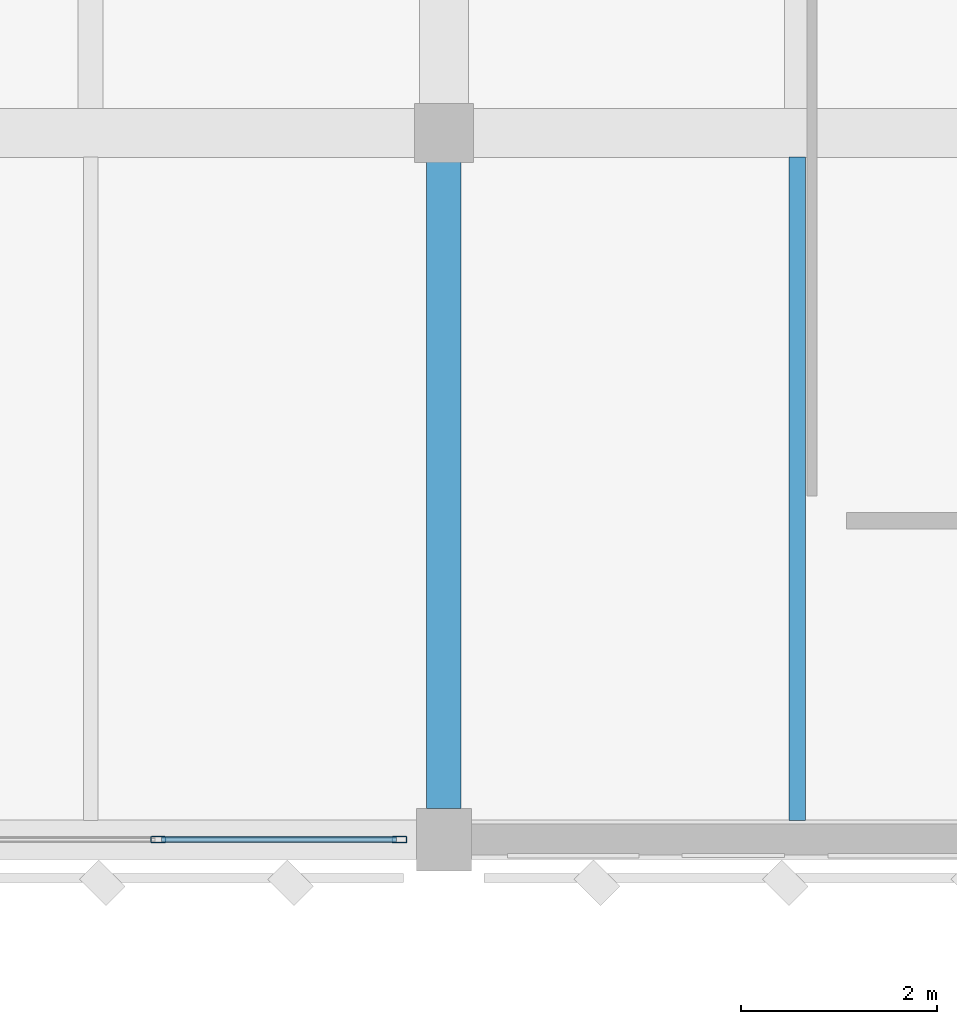
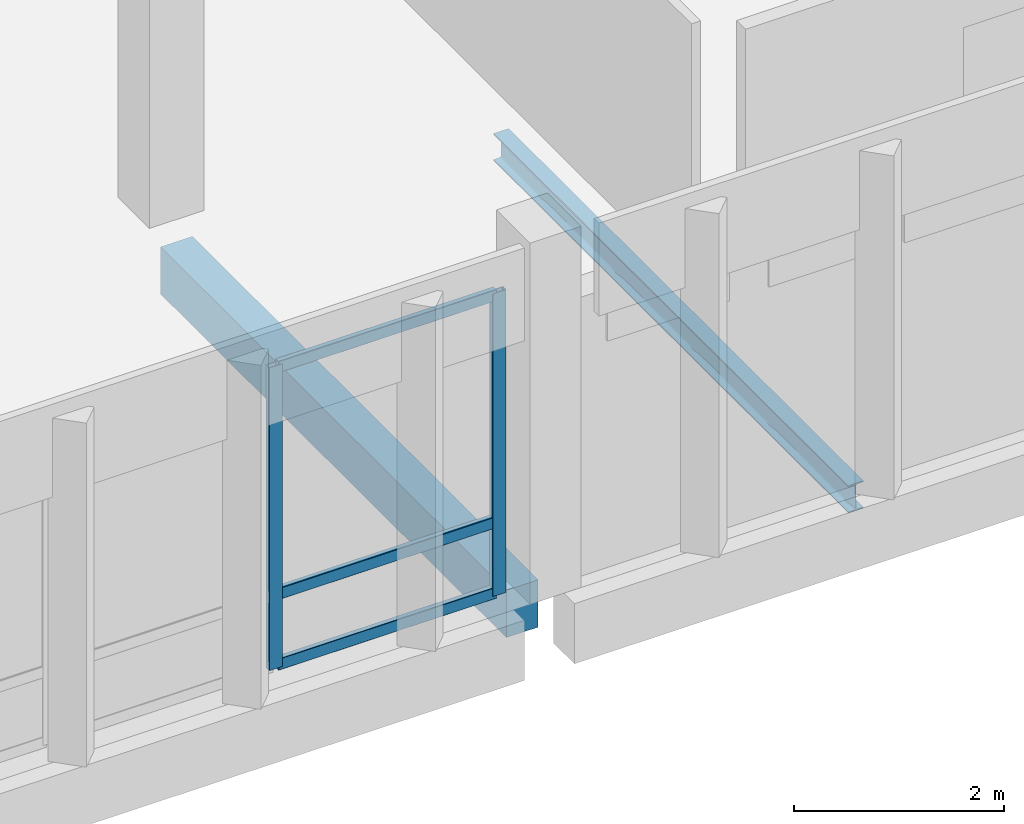
# One storey, part 45 of 158: 5 members, 2 beams, 1 element without a shape of its own.
"""IFC4 building model written with IfcOpenShell, lengths in metres."""

from ifc_helpers import new_model, si_unit, direction, frame, origin, origin_2d, place, context, subcontext, project, spatial, rectangle, hollow_rectangle, i_section, extrude, material, material_profile, profile_set, type_object, element, aggregate, save


model = new_model("IFC4")

# Units and contexts
model_context = context("Model", 3, precision=1e-05, world=origin(), true_north=direction((0.0, 1.0)))
body_context = subcontext(model_context, "Body", "Model", "MODEL_VIEW")
ifc_project = project(units=[si_unit("LENGTHUNIT", "METRE"), si_unit("AREAUNIT", "SQUARE_METRE"), si_unit("VOLUMEUNIT", "CUBIC_METRE"), si_unit("PLANEANGLEUNIT", "RADIAN"), si_unit("MASSUNIT", "GRAM", prefix="KILO")], contexts=[model_context])

# Site, building, storey
site_placement = place(None, origin())
site = spatial("IfcSite", under=ifc_project, at=site_placement, CompositionType="ELEMENT")
building_placement = place(site_placement, origin())
building = spatial("IfcBuilding", under=site, at=building_placement, Name="Lusvemor Sports Hall", CompositionType="ELEMENT")
storey_placement = place(building_placement, frame((0.0, 0.0, 10.800048828125)))
storey = spatial("IfcBuildingStorey", under=building, at=storey_placement, Name="L02", CompositionType="ELEMENT", Elevation=10.800048828125)

# Beam
ifc_material_1 = material(Name="Concrete C40/50", Category="concrete")
ifc_material_profile_1 = material_profile(ifc_material_1, rectangle(XDim=0.35009765625, YDim=0.550048828125, at=origin_2d()), Name="RC350x550")
ifc_profile_set_1 = profile_set([ifc_material_profile_1], Name="Concrete C40/50")
beam_type_1 = type_object("IfcBeamType", Name="BEAM_RC_550", PredefinedType="BEAM", material=ifc_profile_set_1)
beam_1_placement = place(storey_placement, frame((32.39990234375, 97.51611328125, -0.53515625), z_axis=(0.0, 1.0, 0.0), x_axis=(-1.0, 0.0, 0.0)))
element("IfcBeam", 1, at=beam_1_placement, inside=storey, type_object=beam_type_1, Name="Beam L02 4:N-P", PredefinedType="BEAM", context=body_context, shape_type="SweptSolid", body=[
    extrude(rectangle(XDim=0.35009765625, YDim=0.550048828125, at=origin_2d()), origin(), (0.0, 0.0, 1.0), 6.587890625),
])

# Curtain wall, members
ifc_material_2 = material(Name="Thermally broken bronze-anodized aluminium", Category="aluminium")
curtain_wall_type = type_object("IfcCurtainWallType", Name="CW_WING_B", PredefinedType="NOTDEFINED", material=ifc_material_2)
curtain_wall_placement = place(storey_placement, origin())
curtain_wall = element("IfcCurtainWall", 2, at=curtain_wall_placement, inside=storey, type_object=curtain_wall_type, Name="Curtain Wall CW-L02-S-3-0", PredefinedType="NOTDEFINED")
ifc_material_3 = material(Name="Thermally broken bronze-anodized aluminium", Category="aluminium")
ifc_material_profile_2 = material_profile(ifc_material_3, hollow_rectangle(XDim=0.06494140625, YDim=0.14990234375, WallThickness=0.00390625, InnerFilletRadius=0.00390625, OuterFilletRadius=0.008056640625, at=origin_2d()), Name="CWMUL150x65x4")
ifc_profile_set_2 = profile_set([ifc_material_profile_2], Name="Thermally broken bronze-anodized aluminium")
member_type_1 = type_object("IfcMemberType", Name="CW_MUL_B", PredefinedType="MULLION", material=ifc_profile_set_2)
member_1_placement = place(storey_placement, frame((31.947509765625, 97.199951171875, 0.0), z_axis=(0.0, 0.0, 1.0), x_axis=(0.0, -1.0, 0.0)))
member_1 = element("IfcMember", 3, at=member_1_placement, type_object=member_type_1, Name="CW02 mullion 1", PredefinedType="MULLION", context=body_context, shape_type="SweptSolid", body=[
    extrude(hollow_rectangle(XDim=0.06494140625, YDim=0.14990234375, WallThickness=0.00390625, InnerFilletRadius=0.00390625, OuterFilletRadius=0.008056640625, at=origin_2d()), origin(), (0.0, 0.0, 1.0), 3.52001953125),
])
member_2_placement = place(storey_placement, frame((29.489990234375, 97.199951171875, 0.0), z_axis=(0.0, 0.0, 1.0), x_axis=(0.0, -1.0, 0.0)))
member_2 = element("IfcMember", 4, at=member_2_placement, type_object=member_type_1, Name="CW02 mullion 2", PredefinedType="MULLION", context=body_context, shape_type="SweptSolid", body=[
    extrude(hollow_rectangle(XDim=0.06494140625, YDim=0.14990234375, WallThickness=0.00390625, InnerFilletRadius=0.00390625, OuterFilletRadius=0.008056640625, at=origin_2d()), origin(), (0.0, 0.0, 1.0), 3.52001953125),
])
ifc_material_4 = material(Name="Thermally broken bronze-anodized aluminium", Category="aluminium")
ifc_material_profile_3 = material_profile(ifc_material_4, hollow_rectangle(XDim=0.06005859375, YDim=0.135009765625, WallThickness=0.00390625, InnerFilletRadius=0.00390625, OuterFilletRadius=0.008056640625, at=origin_2d()), Name="CWTRN135x60x4")
ifc_profile_set_3 = profile_set([ifc_material_profile_3], Name="Thermally broken bronze-anodized aluminium")
member_type_2 = type_object("IfcMemberType", Name="CW_TRN_B", PredefinedType="USERDEFINED", material=ifc_profile_set_3)
member_3_placement = place(storey_placement, frame((31.9150390625, 97.199951171875, 0.030029296875), z_axis=(-1.0, 0.0, 0.0), x_axis=(0.0, -1.0, 0.0)))
member_3 = element("IfcMember", 5, at=member_3_placement, type_object=member_type_2, Name="CW02 transom 1.1", ObjectType="TRANSOM", PredefinedType="USERDEFINED", context=body_context, shape_type="SweptSolid", body=[
    extrude(hollow_rectangle(XDim=0.06005859375, YDim=0.135009765625, WallThickness=0.00390625, InnerFilletRadius=0.00390625, OuterFilletRadius=0.008056640625, at=origin_2d()), origin(), (0.0, 0.0, 1.0), 2.392578125),
])
member_4_placement = place(storey_placement, frame((31.9150390625, 97.199951171875, 0.849853515625), z_axis=(-1.0, 0.0, 0.0), x_axis=(0.0, -1.0, 0.0)))
member_4 = element("IfcMember", 6, at=member_4_placement, type_object=member_type_2, Name="CW02 transom 1.2", ObjectType="TRANSOM", PredefinedType="USERDEFINED", context=body_context, shape_type="SweptSolid", body=[
    extrude(hollow_rectangle(XDim=0.06005859375, YDim=0.135009765625, WallThickness=0.00390625, InnerFilletRadius=0.00390625, OuterFilletRadius=0.008056640625, at=origin_2d()), origin(), (0.0, 0.0, 1.0), 2.392578125),
])
member_5_placement = place(storey_placement, frame((31.9150390625, 97.199951171875, 3.489990234375), z_axis=(-1.0, 0.0, 0.0), x_axis=(0.0, -1.0, 0.0)))
member_5 = element("IfcMember", 7, at=member_5_placement, type_object=member_type_2, Name="CW02 transom 1.3", ObjectType="TRANSOM", PredefinedType="USERDEFINED", context=body_context, shape_type="SweptSolid", body=[
    extrude(hollow_rectangle(XDim=0.06005859375, YDim=0.135009765625, WallThickness=0.00390625, InnerFilletRadius=0.00390625, OuterFilletRadius=0.008056640625, at=origin_2d()), origin(), (0.0, 0.0, 1.0), 2.392578125),
])
aggregate(curtain_wall, [member_1, member_2, member_3, member_4, member_5])

# Beam
ifc_material_5 = material(Name="Steel S355", Category="steel")
ifc_material_profile_4 = material_profile(ifc_material_5, i_section(OverallWidth=0.1669921875, OverallDepth=0.31689453125, WebThickness=0.007568359375, FlangeThickness=0.01318359375, FilletRadius=0.014892578125, at=origin_2d()), Name="W310x52.0")
ifc_profile_set_4 = profile_set([ifc_material_profile_4], Name="Steel S355")
beam_type_2 = type_object("IfcBeamType", Name="JOIST_ST_310M", PredefinedType="JOIST", material=ifc_profile_set_4)
beam_2_placement = place(storey_placement, frame((36.0, 97.39599609375, -0.422607421875), z_axis=(0.0, 1.0, 0.0), x_axis=(-1.0, 0.0, 0.0)))
element("IfcBeam", 8, at=beam_2_placement, inside=storey, type_object=beam_type_2, Name="Secondary Joist L02 4-5/N-P #1", PredefinedType="JOIST", context=body_context, shape_type="SweptSolid", body=[
    extrude(i_section(OverallWidth=0.1669921875, OverallDepth=0.31689453125, WebThickness=0.007568359375, FlangeThickness=0.01318359375, FilletRadius=0.014892578125, at=origin_2d()), origin(), (0.0, 0.0, 1.0), 6.758056640625),
])

save(model, "model.ifc")
